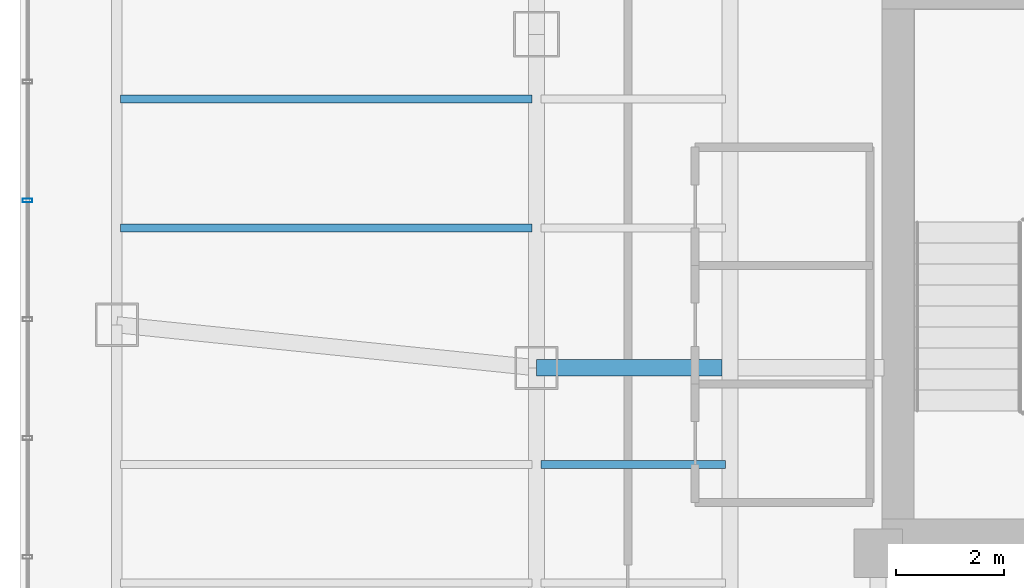
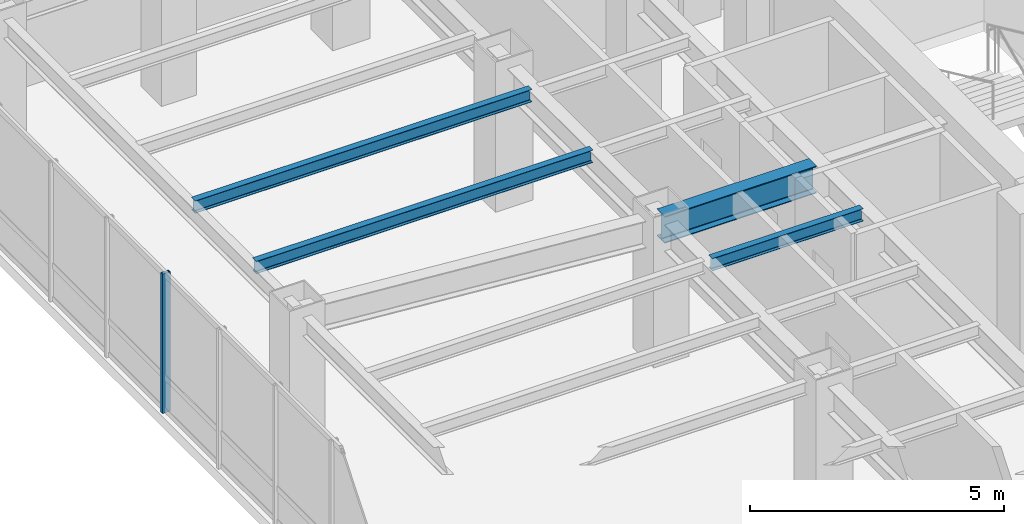
# One storey, part 8 of 26: 4 beams, 1 member, 1 element without a shape of its own.
"""IFC4 building model written with IfcOpenShell, lengths in metres."""

from ifc_helpers import new_model, si_unit, direction, frame, origin, origin_2d, place, context, subcontext, project, spatial, hollow_rectangle, i_section, extrude, material, layer, layer_set, material_profile, profile_set, type_object, element, aggregate, save


model = new_model("IFC4")

# Units and contexts
model_context = context("Model", 3, precision=1e-05, world=origin(), true_north=direction((0.0, 1.0)))
body_context = subcontext(model_context, "Body", "Model", "MODEL_VIEW")
ifc_project = project(units=[si_unit("LENGTHUNIT", "METRE"), si_unit("AREAUNIT", "SQUARE_METRE"), si_unit("VOLUMEUNIT", "CUBIC_METRE"), si_unit("PLANEANGLEUNIT", "RADIAN"), si_unit("MASSUNIT", "GRAM", prefix="KILO")], contexts=[model_context])

# Site, building, storey
site_placement = place(None, origin())
site = spatial("IfcSite", under=ifc_project, at=site_placement, CompositionType="ELEMENT")
building_placement = place(site_placement, origin())
building = spatial("IfcBuilding", under=site, at=building_placement, Name="Hatsunagi Terrace Concourse", CompositionType="ELEMENT")
storey_placement = place(building_placement, frame((0.0, 0.0, 152.85009765625)))
storey = spatial("IfcBuildingStorey", under=building, at=storey_placement, Name="L40", CompositionType="ELEMENT", Elevation=152.85009765625)

# Curtain wall, member
ifc_material_1 = material(Name="Anodised Aluminium Alloy 6063-T5", Category="aluminium")
ifc_layer = layer(ifc_material_1, 0.199951171875)
ifc_layer_set = layer_set([ifc_layer], Name="OfficeZone1_CW03")
curtain_wall_type = type_object("IfcCurtainWallType", Name="OfficeZone1_CW03", PredefinedType="NOTDEFINED", material=ifc_layer_set)
curtain_wall_placement = place(storey_placement, origin())
curtain_wall = element("IfcCurtainWall", 1, at=curtain_wall_placement, inside=storey, type_object=curtain_wall_type, Name="Unitised Curtain Wall CW-03 CW-L40-09", PredefinedType="NOTDEFINED")
ifc_material_2 = material(Name="Anodised Aluminium Alloy 6063-T5", Category="aluminium")
ifc_material_profile_1 = material_profile(ifc_material_2, hollow_rectangle(XDim=0.070068359375, YDim=0.179931640625, WallThickness=0.00390625, at=origin_2d()), Name="ALU-MUL-180x70x4")
ifc_profile_set_1 = profile_set([ifc_material_profile_1], Name="Anodised Aluminium Alloy 6063-T5")
member_type = type_object("IfcMemberType", Name="CurtainWallMullion_180x70", PredefinedType="MULLION", material=ifc_profile_set_1)
member_placement = place(storey_placement, frame((9.739990234375, 39.10791015625, 0.0), z_axis=(0.0, 0.0, 1.0), x_axis=(0.0, 1.0, 0.0)))
member = element("IfcMember", 2, at=member_placement, type_object=member_type, Name="Curtain Wall Mullion MUL-02", PredefinedType="MULLION", context=body_context, shape_type="SweptSolid", body=[
    extrude(hollow_rectangle(XDim=0.070068359375, YDim=0.179931640625, WallThickness=0.00390625, at=origin_2d()), origin(), (0.0, 0.0, 1.0), 3.349853515625),
])
aggregate(curtain_wall, [member])

# Beams
ifc_material_3 = material(Name="Steel SN490B", Category="steel")
ifc_material_profile_2 = material_profile(ifc_material_3, i_section(OverallWidth=0.14990234375, OverallDepth=0.300048828125, WebThickness=0.006591796875, FlangeThickness=0.009033203125, FilletRadius=0.010986328125, at=origin_2d()), Name="H-300x150x6.5x9")
ifc_profile_set_2 = profile_set([ifc_material_profile_2], Name="Steel SN490B")
beam_type_1 = type_object("IfcBeamType", Name="OfficeJoist_H_300x150", PredefinedType="JOIST", material=ifc_profile_set_2)
beam_1_placement = place(storey_placement, frame((19.284912109375, 34.199951171875, 3.199951171875), z_axis=(1.0, 0.0, 0.0), x_axis=(0.0, 1.0, 0.0)))
element("IfcBeam", 3, at=beam_1_placement, inside=storey, type_object=beam_type_1, Name="Beam J-03 J-L40-W-19-342", PredefinedType="JOIST", context=body_context, shape_type="SweptSolid", body=[
    extrude(i_section(OverallWidth=0.14990234375, OverallDepth=0.300048828125, WebThickness=0.006591796875, FlangeThickness=0.009033203125, FilletRadius=0.010986328125, at=origin_2d()), origin(), (0.0, 0.0, 1.0), 3.43017578125),
])
for number, where, z_axis, x_axis, name in (
    (4, (11.465087890625, 38.60009765625, 3.199951171875), (1.0, 0.0, 0.0), (0.0, 1.0, 0.0), "Beam J-03 J-L40-W-11-386"),
    (5, (11.465087890625, 41.0, 3.199951171875), (1.0, 0.0, 0.0), (0.0, 1.0, 0.0), "Beam J-03 J-L40-W-11-410"),
):
    element("IfcBeam", number, at=place(storey_placement, frame(where, z_axis=z_axis, x_axis=x_axis)), inside=storey, type_object=beam_type_1, Name=name, PredefinedType="JOIST", context=body_context, shape_type="SweptSolid", body=[
        extrude(i_section(OverallWidth=0.14990234375, OverallDepth=0.300048828125, WebThickness=0.006591796875, FlangeThickness=0.009033203125, FilletRadius=0.010986328125, at=origin_2d()), origin(), (0.0, 0.0, 1.0), 7.64990234375),
    ])
ifc_material_4 = material(Name="Steel SN490B", Category="steel")
ifc_material_profile_3 = material_profile(ifc_material_4, i_section(OverallWidth=0.300048828125, OverallDepth=0.64990234375, WebThickness=0.012939453125, FlangeThickness=0.02197265625, FilletRadius=0.01806640625, at=origin_2d()), Name="H-650x300x13x22")
ifc_profile_set_3 = profile_set([ifc_material_profile_3], Name="Steel SN490B")
beam_type_2 = type_object("IfcBeamType", Name="OfficeLowGirder_H_650x300", PredefinedType="BEAM", material=ifc_profile_set_3)
beam_2_placement = place(storey_placement, frame((19.199951171875, 36.0, 3.02490234375), z_axis=(1.0, 0.0, 0.0), x_axis=(0.0, 1.0, 0.0)))
element("IfcBeam", 6, at=beam_2_placement, inside=storey, type_object=beam_type_2, Name="Beam G-05 BM-L40-EW-3", PredefinedType="BEAM", context=body_context, shape_type="SweptSolid", body=[
    extrude(i_section(OverallWidth=0.300048828125, OverallDepth=0.64990234375, WebThickness=0.012939453125, FlangeThickness=0.02197265625, FilletRadius=0.01806640625, at=origin_2d()), origin(), (0.0, 0.0, 1.0), 3.449951171875),
])

save(model, "model.ifc")
